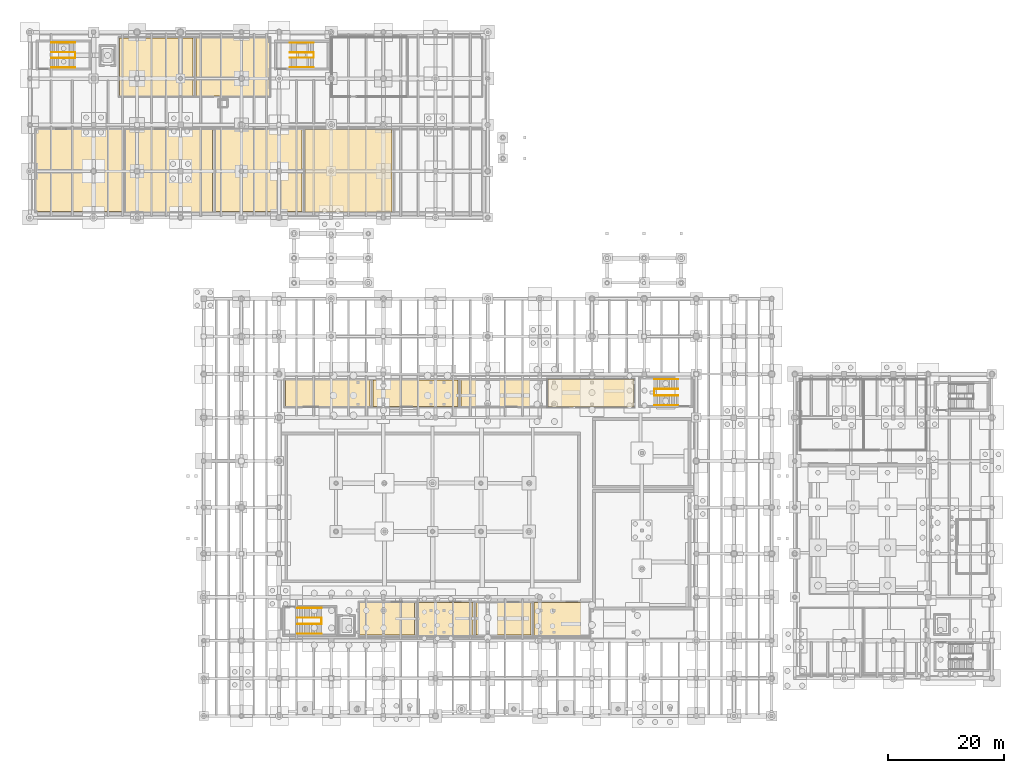
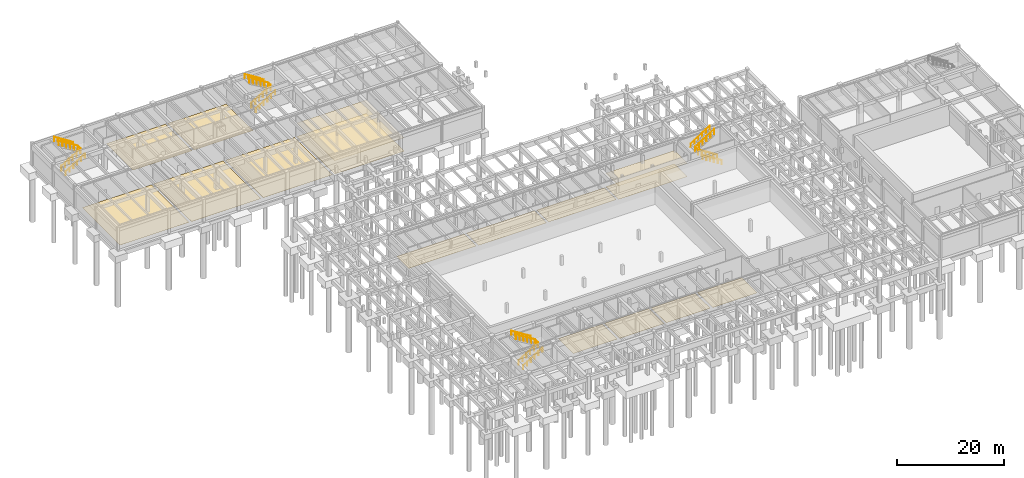
# One storey, part 34 of 36: 16 coverings, 12 railings.
"""IFC4 building model written with IfcOpenShell, lengths in metres."""

from ifc_helpers import new_model, si_unit, direction, frame, origin, origin_2d, place, context, subcontext, project, spatial, polyline, circle, outline, extrude, material, layer, layer_set, type_object, element, save


model = new_model("IFC4")

# Units and contexts
model_context = context("Model", 3, precision=1e-05, world=origin(), true_north=direction((0.0, 1.0)))
body_context = subcontext(model_context, "Body", "Model", "MODEL_VIEW")
ifc_project = project(units=[si_unit("LENGTHUNIT", "METRE"), si_unit("AREAUNIT", "SQUARE_METRE"), si_unit("VOLUMEUNIT", "CUBIC_METRE"), si_unit("PLANEANGLEUNIT", "RADIAN"), si_unit("MASSUNIT", "GRAM", prefix="KILO"), si_unit("THERMODYNAMICTEMPERATUREUNIT", "KELVIN"), si_unit("POWERUNIT", "WATT")], contexts=[model_context])

# Site, building, storey
site_placement = place(None, origin())
site = spatial("IfcSite", under=ifc_project, at=site_placement, CompositionType="ELEMENT")
building_placement = place(site_placement, origin())
building = spatial("IfcBuilding", under=site, at=building_placement, Name="Tepalcoro Natatorium and Aquatics Centre", CompositionType="ELEMENT")
storey_placement = place(building_placement, frame((0.0, 0.0, -5.199951171875)))
storey = spatial("IfcBuildingStorey", under=building, at=storey_placement, Name="B1", CompositionType="ELEMENT", Elevation=-5.199951171875)

# Coverings
ifc_material_1 = material(Name="Moisture-Resistant Acoustic Gypsum Drywall on Cold-Formed Metal Studs")
ifc_layer_1 = layer(ifc_material_1, 0.030029296875)
ifc_layer_set_1 = layer_set([ifc_layer_1], Name="Moisture-Resistant Acoustic Gypsum Drywall on Cold-Formed Metal Studs")
covering_type_1 = type_object("IfcCoveringType", Name="CL_GYPSUM_30", PredefinedType="CEILING", material=ifc_layer_set_1)
covering_1_placement = place(storey_placement, frame((0.0, 0.0, 3.050048828125)))
element("IfcCovering", 1, at=covering_1_placement, inside=storey, type_object=covering_type_1, Name="Building Management Control & Workshop Suite Suspended Ceiling", PredefinedType="CEILING", context=body_context, shape_type="SweptSolid", body=[
    extrude(outline(polyline([(99.3798828125, 53.2900390625), (99.3798828125, 58.110107421875), (114.27001953125, 58.110107421875), (114.27001953125, 53.2900390625), (99.3798828125, 53.2900390625)])), origin(), (0.0, 0.0, 1.0), 0.02978515625),
])
ifc_material_2 = material(Name="Perforated Corrosion-Resistant Acoustic Aluminium Baffle Ceiling", Category="aluminium")
ifc_layer_2 = layer(ifc_material_2, 0.0400390625)
ifc_layer_set_2 = layer_set([ifc_layer_2], Name="Perforated Corrosion-Resistant Acoustic Aluminium Baffle Ceiling")
covering_type_2 = type_object("IfcCoveringType", Name="CL_PERF_AL_40", PredefinedType="CEILING", material=ifc_layer_set_2)
covering_2_placement = place(storey_placement, frame((0.0, 0.0, 3.050048828125)))
element("IfcCovering", 2, at=covering_2_placement, inside=storey, type_object=covering_type_2, Name="Maintenance Engineering Stores & Linen Handling Suspended Ceiling", PredefinedType="CEILING", context=body_context, shape_type="SweptSolid", body=[
    extrude(outline(polyline([(57.47509765625, 86.9951171875), (57.47509765625, 101.205078125), (72.485107421875, 101.205078125), (72.485107421875, 86.9951171875), (57.47509765625, 86.9951171875)])), origin(), (0.0, 0.0, 1.0), 0.039794921875),
])
ifc_material_3 = material(Name="Shock-Absorbing Vulcanised Athletic Rubber Flooring")
ifc_layer_3 = layer(ifc_material_3, 0.010009765625)
ifc_layer_set_3 = layer_set([ifc_layer_3], Name="Shock-Absorbing Vulcanised Athletic Rubber Flooring")
covering_type_3 = type_object("IfcCoveringType", Name="FL_CARPET_10", PredefinedType="FLOORING", material=ifc_layer_set_3)
covering_3_placement = place(storey_placement, origin())
element("IfcCovering", 3, at=covering_3_placement, inside=storey, type_object=covering_type_3, Name="Natatorium Dehumidification AHU Plant Hall Floor Finish", PredefinedType="FLOORING", context=body_context, shape_type="SweptSolid", body=[
    extrude(outline(polyline([(84.375, 53.43505859375), (84.375, 57.965087890625), (98.97509765625, 57.965087890625), (98.97509765625, 53.43505859375), (84.375, 53.43505859375)])), origin(), (0.0, 0.0, 1.0), 0.010009765625),
])
covering_4_placement = place(storey_placement, origin())
element("IfcCovering", 4, at=covering_4_placement, inside=storey, type_object=covering_type_3, Name="B1 Staff Accessible WC Floor Finish", PredefinedType="FLOORING", context=body_context, shape_type="SweptSolid", body=[
    extrude(outline(polyline([(38.64990234375, 107.010009765625), (38.64990234375, 116.989990234375), (51.35009765625, 116.989990234375), (51.35009765625, 107.010009765625), (38.64990234375, 107.010009765625)])), origin(), (0.0, 0.0, 1.0), 0.010009765625),
])
ifc_material_4 = material(Name="Slip-Resistant Porcelain Aquatic Deck Tile")
ifc_layer_4 = layer(ifc_material_4, 0.02197265625)
ifc_layer_set_4 = layer_set([ifc_layer_4], Name="Slip-Resistant Porcelain Aquatic Deck Tile")
covering_type_4 = type_object("IfcCoveringType", Name="FL_DECK_TILE_22", PredefinedType="FLOORING", material=ifc_layer_set_4)
covering_5_placement = place(storey_placement, origin())
element("IfcCovering", 5, at=covering_5_placement, inside=storey, type_object=covering_type_4, Name="Competition Pool Surge & Balance Tank Chamber Floor Finish", PredefinedType="FLOORING", context=body_context, shape_type="SweptSolid", body=[
    extrude(outline(polyline([(86.97509765625, 13.93505859375), (86.97509765625, 19.56494140625), (96.47509765625, 19.56494140625), (96.47509765625, 13.93505859375), (86.97509765625, 13.93505859375)])), origin(), (0.0, 0.0, 1.0), 0.02197265625),
])
covering_6_placement = place(storey_placement, origin())
element("IfcCovering", 6, at=covering_6_placement, inside=storey, type_object=covering_type_4, Name="Domestic Hot Water Calorifier & Greywater Recovery Plant Floor Finish", PredefinedType="FLOORING", context=body_context, shape_type="SweptSolid", body=[
    extrude(outline(polyline([(42.034912109375, 87.034912109375), (42.034912109375, 101.1650390625), (56.965087890625, 101.1650390625), (56.965087890625, 87.034912109375), (42.034912109375, 87.034912109375)])), origin(), (0.0, 0.0, 1.0), 0.02197265625),
])
ifc_material_5 = material(Name="Chemical-Resistant Quartz-Broadcast Epoxy Flooring")
ifc_layer_5 = layer(ifc_material_5, 0.008056640625)
ifc_layer_set_5 = layer_set([ifc_layer_5], Name="Chemical-Resistant Quartz-Broadcast Epoxy Flooring")
covering_type_5 = type_object("IfcCoveringType", Name="FL_EPOXY_8", PredefinedType="FLOORING", material=ifc_layer_set_5)
covering_7_placement = place(storey_placement, origin())
element("IfcCovering", 7, at=covering_7_placement, inside=storey, type_object=covering_type_5, Name="Standby Emergency Generator Hall Floor Finish", PredefinedType="FLOORING", context=body_context, shape_type="SweptSolid", body=[
    extrude(outline(polyline([(69.18505859375, 53.39501953125), (69.18505859375, 58.0048828125), (83.864990234375, 58.0048828125), (83.864990234375, 53.39501953125), (69.18505859375, 53.39501953125)])), origin(), (0.0, 0.0, 1.0), 0.008056640625),
])
covering_8_placement = place(storey_placement, origin())
element("IfcCovering", 8, at=covering_8_placement, inside=storey, type_object=covering_type_5, Name="Pool Chemical Bulk Storage & Neutralisation Tank Room Floor Finish", PredefinedType="FLOORING", context=body_context, shape_type="SweptSolid", body=[
    extrude(outline(polyline([(25.43505859375, 106.9951171875), (25.43505859375, 117.0048828125), (38.1650390625, 117.0048828125), (38.1650390625, 106.9951171875), (25.43505859375, 106.9951171875)])), origin(), (0.0, 0.0, 1.0), 0.008056640625),
])
ifc_layer_6 = layer(ifc_material_3, 0.011962890625)
ifc_layer_set_6 = layer_set([ifc_layer_6], Name="Shock-Absorbing Vulcanised Athletic Rubber Flooring")
covering_type_6 = type_object("IfcCoveringType", Name="FL_RUBBER_12", PredefinedType="FLOORING", material=ifc_layer_set_6)
covering_9_placement = place(storey_placement, origin())
element("IfcCovering", 9, at=covering_9_placement, inside=storey, type_object=covering_type_6, Name="Pool Plant Competition Ozone & UV Disinfection Hall Floor Finish", PredefinedType="FLOORING", context=body_context, shape_type="SweptSolid", body=[
    extrude(outline(polyline([(66.875, 13.93505859375), (66.875, 19.56494140625), (76.375, 19.56494140625), (76.375, 13.93505859375), (66.875, 13.93505859375)])), origin(), (0.0, 0.0, 1.0), 0.011962890625),
])
covering_10_placement = place(storey_placement, origin())
element("IfcCovering", 10, at=covering_10_placement, inside=storey, type_object=covering_type_6, Name="Building Management Control & Workshop Suite Floor Finish", PredefinedType="FLOORING", context=body_context, shape_type="SweptSolid", body=[
    extrude(outline(polyline([(99.3798828125, 53.2900390625), (99.3798828125, 58.110107421875), (114.27001953125, 58.110107421875), (114.27001953125, 53.2900390625), (99.3798828125, 53.2900390625)])), origin(), (0.0, 0.0, 1.0), 0.011962890625),
])
covering_11_placement = place(storey_placement, origin())
element("IfcCovering", 11, at=covering_11_placement, inside=storey, type_object=covering_type_6, Name="Chiller Hall & Thermal Ice-Storage Plant Floor Finish", PredefinedType="FLOORING", context=body_context, shape_type="SweptSolid", body=[
    extrude(outline(polyline([(11.074951171875, 87.034912109375), (11.074951171875, 101.1650390625), (26.0048828125, 101.1650390625), (26.0048828125, 87.034912109375), (11.074951171875, 87.034912109375)])), origin(), (0.0, 0.0, 1.0), 0.011962890625),
])
ifc_material_6 = material(Name="Polished Jalisco Basalt Aggregate Terrazzo Flooring", Category="masonry")
ifc_layer_7 = layer(ifc_material_6, 0.028076171875)
ifc_layer_set_7 = layer_set([ifc_layer_7], Name="Polished Jalisco Basalt Aggregate Terrazzo Flooring")
covering_type_7 = type_object("IfcCoveringType", Name="FL_TERRAZZO_25", PredefinedType="FLOORING", material=ifc_layer_set_7)
covering_12_placement = place(storey_placement, origin())
element("IfcCovering", 12, at=covering_12_placement, inside=storey, type_object=covering_type_7, Name="Medium-Voltage Electrical Substation Hall Floor Finish", PredefinedType="FLOORING", context=body_context, shape_type="SweptSolid", body=[
    extrude(outline(polyline([(54.074951171875, 53.43505859375), (54.074951171875, 57.965087890625), (68.675048828125, 57.965087890625), (68.675048828125, 53.43505859375), (54.074951171875, 53.43505859375)])), origin(), (0.0, 0.0, 1.0), 0.02783203125),
])
ifc_layer_8 = layer(ifc_material_4, 0.01806640625)
ifc_layer_set_8 = layer_set([ifc_layer_8], Name="Slip-Resistant Porcelain Aquatic Deck Tile")
covering_type_8 = type_object("IfcCoveringType", Name="FL_TILE_18", PredefinedType="FLOORING", material=ifc_layer_set_8)
covering_13_placement = place(storey_placement, origin())
element("IfcCovering", 13, at=covering_13_placement, inside=storey, type_object=covering_type_8, Name="Pool Plant Competition Sand Filtration Battery Room Floor Finish", PredefinedType="FLOORING", context=body_context, shape_type="SweptSolid", body=[
    extrude(outline(polyline([(76.885009765625, 13.89501953125), (76.885009765625, 19.60498046875), (86.465087890625, 19.60498046875), (86.465087890625, 13.89501953125), (76.885009765625, 13.89501953125)])), origin(), (0.0, 0.0, 1.0), 0.01806640625),
])
covering_14_placement = place(storey_placement, origin())
element("IfcCovering", 14, at=covering_14_placement, inside=storey, type_object=covering_type_8, Name="Training & Hydrotherapy Filtration Plant Hall Floor Finish", PredefinedType="FLOORING", context=body_context, shape_type="SweptSolid", body=[
    extrude(outline(polyline([(26.514892578125, 86.9951171875), (26.514892578125, 101.205078125), (41.52490234375, 101.205078125), (41.52490234375, 86.9951171875), (26.514892578125, 86.9951171875)])), origin(), (0.0, 0.0, 1.0), 0.01806640625),
])
ifc_material_7 = material(Name="Sprung Maple Sports Floor Assembly")
ifc_layer_9 = layer(ifc_material_7, 0.02392578125)
ifc_layer_set_9 = layer_set([ifc_layer_9], Name="Sprung Maple Sports Floor Assembly")
covering_type_9 = type_object("IfcCoveringType", Name="FL_WOOD_22", PredefinedType="FLOORING", material=ifc_layer_set_9)
covering_15_placement = place(storey_placement, origin())
element("IfcCovering", 15, at=covering_15_placement, inside=storey, type_object=covering_type_9, Name="Geothermal Heat-Pump & Plate Exchanger Plant Floor Finish", PredefinedType="FLOORING", context=body_context, shape_type="SweptSolid", body=[
    extrude(outline(polyline([(96.985107421875, 13.89501953125), (96.985107421875, 19.60498046875), (106.56494140625, 19.60498046875), (106.56494140625, 13.89501953125), (96.985107421875, 13.89501953125)])), origin(), (0.0, 0.0, 1.0), 0.02392578125),
])
covering_16_placement = place(storey_placement, origin())
element("IfcCovering", 16, at=covering_16_placement, inside=storey, type_object=covering_type_9, Name="Maintenance Engineering Stores & Linen Handling Floor Finish", PredefinedType="FLOORING", context=body_context, shape_type="SweptSolid", body=[
    extrude(outline(polyline([(57.47509765625, 86.9951171875), (57.47509765625, 101.205078125), (72.485107421875, 101.205078125), (72.485107421875, 86.9951171875), (57.47509765625, 86.9951171875)])), origin(), (0.0, 0.0, 1.0), 0.02392578125),
])

# Railings
ifc_material_8 = material(Name="Marine-Grade Brushed Stainless Steel AISI 316L", Category="steel")
railing_type_1 = type_object("IfcRailingType", Name="RL_GLASS_1100", PredefinedType="GUARDRAIL", material=ifc_material_8)
railing_1_placement = place(storey_placement, frame((56.199951171875, 15.85009765625, 0.0)))
element("IfcRailing", 17, at=railing_1_placement, inside=storey, type_object=railing_type_1, Name="ST01-B1 Inner Stairwell Guardrail", PredefinedType="GUARDRAIL", context=body_context, shape_type="SweptSolid", body=[
    extrude(circle(Radius=0.02392578125, at=origin_2d()), frame((0.0, 0.0, 1.09619140625), z_axis=(0.846287972148, 0.0, 0.532725696956), x_axis=(0.0, 1.0, 0.0)), (0.0, 0.0, 1.0), 4.88037109375),
    extrude(circle(Radius=0.02392578125, at=origin_2d()), frame((4.130126953125, 0.0, 3.69580078125), z_axis=(0.0, 1.0, 0.0), x_axis=(-1.0, 0.0, 0.0)), (0.0, 0.0, 1.0), 1.099853515625),
    extrude(circle(Radius=0.02392578125, at=origin_2d()), frame((4.130126953125, 1.099853515625, 3.69580078125), z_axis=(-0.846265418351, 0.0, 0.532761524233), x_axis=(0.0, -1.0, 0.0)), (0.0, 0.0, 1.0), 4.88037109375),
    extrude(circle(Radius=0.02099609375, at=origin_2d()), origin(), (0.0, 0.0, 1.0), 1.072021484375),
    extrude(circle(Radius=0.02099609375, at=origin_2d()), frame((0.825927734375, 0.0, 0.52001953125)), (0.0, 0.0, 1.0), 1.072021484375),
    extrude(circle(Radius=0.02099609375, at=origin_2d()), frame((1.652099609375, 0.0, 1.0400390625)), (0.0, 0.0, 1.0), 1.072021484375),
    extrude(circle(Radius=0.02099609375, at=origin_2d()), frame((2.47802734375, 0.0, 1.559814453125)), (0.0, 0.0, 1.0), 1.072021484375),
    extrude(circle(Radius=0.02099609375, at=origin_2d()), frame((3.30419921875, 0.0, 2.079833984375)), (0.0, 0.0, 1.0), 1.072021484375),
    extrude(circle(Radius=0.02099609375, at=origin_2d()), frame((4.130126953125, 0.0, 2.599853515625)), (0.0, 0.0, 1.0), 1.072021484375),
    extrude(circle(Radius=0.02099609375, at=origin_2d()), frame((4.130126953125, 1.099853515625, 2.599853515625)), (0.0, 0.0, 1.0), 1.072021484375),
    extrude(circle(Radius=0.02099609375, at=origin_2d()), frame((3.30419921875, 1.099853515625, 3.119873046875)), (0.0, 0.0, 1.0), 1.072021484375),
    extrude(circle(Radius=0.02099609375, at=origin_2d()), frame((2.47802734375, 1.099853515625, 3.639892578125)), (0.0, 0.0, 1.0), 1.072021484375),
    extrude(circle(Radius=0.02099609375, at=origin_2d()), frame((1.652099609375, 1.099853515625, 4.159912109375)), (0.0, 0.0, 1.0), 1.072021484375),
    extrude(circle(Radius=0.02099609375, at=origin_2d()), frame((0.825927734375, 1.099853515625, 4.679931640625)), (0.0, 0.0, 1.0), 1.072021484375),
    extrude(circle(Radius=0.02099609375, at=origin_2d()), frame((0.0, 1.099853515625, 5.199951171875)), (0.0, 0.0, 1.0), 1.072021484375),
])
railing_2_placement = place(storey_placement, frame((13.699951171875, 113.550048828125, 0.0)))
element("IfcRailing", 18, at=railing_2_placement, inside=storey, type_object=railing_type_1, Name="ST07-B1 Inner Stairwell Guardrail", PredefinedType="GUARDRAIL", context=body_context, shape_type="SweptSolid", body=[
    extrude(circle(Radius=0.02392578125, at=origin_2d()), frame((0.0, 0.0, 1.09619140625), z_axis=(0.846287972148, 0.0, 0.532725696956), x_axis=(0.0, 1.0, 0.0)), (0.0, 0.0, 1.0), 4.88037109375),
    extrude(circle(Radius=0.02392578125, at=origin_2d()), frame((4.130126953125, 0.0, 3.69580078125), z_axis=(0.0, 1.0, 0.0), x_axis=(-1.0, 0.0, 0.0)), (0.0, 0.0, 1.0), 1.0),
    extrude(circle(Radius=0.02392578125, at=origin_2d()), frame((4.130126953125, 1.0, 3.69580078125), z_axis=(-0.846265418351, 0.0, 0.532761524233), x_axis=(0.0, -1.0, 0.0)), (0.0, 0.0, 1.0), 4.88037109375),
    extrude(circle(Radius=0.02099609375, at=origin_2d()), origin(), (0.0, 0.0, 1.0), 1.072021484375),
    extrude(circle(Radius=0.02099609375, at=origin_2d()), frame((0.825927734375, 0.0, 0.52001953125)), (0.0, 0.0, 1.0), 1.072021484375),
    extrude(circle(Radius=0.02099609375, at=origin_2d()), frame((1.652099609375, 0.0, 1.0400390625)), (0.0, 0.0, 1.0), 1.072021484375),
    extrude(circle(Radius=0.02099609375, at=origin_2d()), frame((2.47802734375, 0.0, 1.559814453125)), (0.0, 0.0, 1.0), 1.072021484375),
    extrude(circle(Radius=0.02099609375, at=origin_2d()), frame((3.30419921875, 0.0, 2.079833984375)), (0.0, 0.0, 1.0), 1.072021484375),
    extrude(circle(Radius=0.02099609375, at=origin_2d()), frame((4.130126953125, 0.0, 2.599853515625)), (0.0, 0.0, 1.0), 1.072021484375),
    extrude(circle(Radius=0.02099609375, at=origin_2d()), frame((4.130126953125, 1.0, 2.599853515625)), (0.0, 0.0, 1.0), 1.072021484375),
    extrude(circle(Radius=0.02099609375, at=origin_2d()), frame((3.30419921875, 1.0, 3.119873046875)), (0.0, 0.0, 1.0), 1.072021484375),
    extrude(circle(Radius=0.02099609375, at=origin_2d()), frame((2.47802734375, 1.0, 3.639892578125)), (0.0, 0.0, 1.0), 1.072021484375),
    extrude(circle(Radius=0.02099609375, at=origin_2d()), frame((1.652099609375, 1.0, 4.159912109375)), (0.0, 0.0, 1.0), 1.072021484375),
    extrude(circle(Radius=0.02099609375, at=origin_2d()), frame((0.825927734375, 1.0, 4.679931640625)), (0.0, 0.0, 1.0), 1.072021484375),
    extrude(circle(Radius=0.02099609375, at=origin_2d()), frame((0.0, 1.0, 5.199951171875)), (0.0, 0.0, 1.0), 1.072021484375),
])
ifc_material_9 = material(Name="Bronze-Anodised Extruded Aluminium Alloy EN AW-6063 T6", Category="aluminium")
railing_type_2 = type_object("IfcRailingType", Name="RL_HAND_900_BRZ", PredefinedType="HANDRAIL", material=ifc_material_9)
railing_3_placement = place(storey_placement, frame((121.8701171875, 53.610107421875, 0.0)))
element("IfcRailing", 19, at=railing_3_placement, inside=storey, type_object=railing_type_2, Name="ST02-B1 Wall Handrail F1", PredefinedType="HANDRAIL", context=body_context, shape_type="SweptSolid", body=[
    extrude(circle(Radius=0.02392578125, at=origin_2d()), frame((0.0, 0.0, 0.8759765625), z_axis=(-0.846287972148, 0.0, 0.532725696956), x_axis=(0.0, -1.0, 0.0)), (0.0, 0.0, 1.0), 4.88037109375),
    extrude(circle(Radius=0.02099609375, at=origin_2d()), origin(), (0.0, 0.0, 1.0), 0.851806640625),
    extrude(circle(Radius=0.02099609375, at=origin_2d()), frame((-0.825927734375, 0.0, 0.52001953125)), (0.0, 0.0, 1.0), 0.851806640625),
    extrude(circle(Radius=0.02099609375, at=origin_2d()), frame((-1.652099609375, 0.0, 1.0400390625)), (0.0, 0.0, 1.0), 0.851806640625),
    extrude(circle(Radius=0.02099609375, at=origin_2d()), frame((-2.47802734375, 0.0, 1.559814453125)), (0.0, 0.0, 1.0), 0.851806640625),
    extrude(circle(Radius=0.02099609375, at=origin_2d()), frame((-3.30419921875, 0.0, 2.079833984375)), (0.0, 0.0, 1.0), 0.851806640625),
    extrude(circle(Radius=0.02099609375, at=origin_2d()), frame((-4.130126953125, 0.0, 2.599853515625)), (0.0, 0.0, 1.0), 0.851806640625),
])
railing_4_placement = place(storey_placement, frame((117.739990234375, 58.090087890625, 2.599853515625)))
element("IfcRailing", 20, at=railing_4_placement, inside=storey, type_object=railing_type_2, Name="ST02-B1 Wall Handrail F2", PredefinedType="HANDRAIL", context=body_context, shape_type="SweptSolid", body=[
    extrude(circle(Radius=0.02392578125, at=origin_2d()), frame((0.0, 0.0, 0.8759765625), z_axis=(0.846265418351, 0.0, 0.532761524233), x_axis=(0.0, 1.0, 0.0)), (0.0, 0.0, 1.0), 4.88037109375),
    extrude(circle(Radius=0.02099609375, at=origin_2d()), origin(), (0.0, 0.0, 1.0), 0.851806640625),
    extrude(circle(Radius=0.02099609375, at=origin_2d()), frame((0.825927734375, 0.0, 0.52001953125)), (0.0, 0.0, 1.0), 0.851806640625),
    extrude(circle(Radius=0.02099609375, at=origin_2d()), frame((1.652099609375, 0.0, 1.0400390625)), (0.0, 0.0, 1.0), 0.851806640625),
    extrude(circle(Radius=0.02099609375, at=origin_2d()), frame((2.47802734375, 0.0, 1.56005859375)), (0.0, 0.0, 1.0), 0.851806640625),
    extrude(circle(Radius=0.02099609375, at=origin_2d()), frame((3.30419921875, 0.0, 2.080078125)), (0.0, 0.0, 1.0), 0.851806640625),
    extrude(circle(Radius=0.02099609375, at=origin_2d()), frame((4.130126953125, 0.0, 2.60009765625)), (0.0, 0.0, 1.0), 0.851806640625),
])
railing_5_placement = place(storey_placement, frame((54.85009765625, 111.929931640625, 0.0)))
element("IfcRailing", 21, at=railing_5_placement, inside=storey, type_object=railing_type_2, Name="ST08-B1 Wall Handrail F1", PredefinedType="HANDRAIL", context=body_context, shape_type="SweptSolid", body=[
    extrude(circle(Radius=0.02392578125, at=origin_2d()), frame((0.0, 0.0, 0.8759765625), z_axis=(0.846273774066, 0.0, 0.532748251361), x_axis=(0.0, 1.0, 0.0)), (0.0, 0.0, 1.0), 4.880126953125),
    extrude(circle(Radius=0.02099609375, at=origin_2d()), origin(), (0.0, 0.0, 1.0), 0.851806640625),
    extrude(circle(Radius=0.02099609375, at=origin_2d()), frame((0.825927734375, 0.0, 0.52001953125)), (0.0, 0.0, 1.0), 0.851806640625),
    extrude(circle(Radius=0.02099609375, at=origin_2d()), frame((1.65185546875, 0.0, 1.0400390625)), (0.0, 0.0, 1.0), 0.851806640625),
    extrude(circle(Radius=0.02099609375, at=origin_2d()), frame((2.47802734375, 0.0, 1.559814453125)), (0.0, 0.0, 1.0), 0.851806640625),
    extrude(circle(Radius=0.02099609375, at=origin_2d()), frame((3.303955078125, 0.0, 2.079833984375)), (0.0, 0.0, 1.0), 0.851806640625),
    extrude(circle(Radius=0.02099609375, at=origin_2d()), frame((4.1298828125, 0.0, 2.599853515625)), (0.0, 0.0, 1.0), 0.851806640625),
])
railing_6_placement = place(storey_placement, frame((58.97998046875, 116.169921875, 2.599853515625)))
element("IfcRailing", 22, at=railing_6_placement, inside=storey, type_object=railing_type_2, Name="ST08-B1 Wall Handrail F2", PredefinedType="HANDRAIL", context=body_context, shape_type="SweptSolid", body=[
    extrude(circle(Radius=0.02392578125, at=origin_2d()), frame((0.0, 0.0, 0.8759765625), z_axis=(-0.846251218738, 0.0, 0.532784078952), x_axis=(0.0, -1.0, 0.0)), (0.0, 0.0, 1.0), 4.880126953125),
    extrude(circle(Radius=0.02099609375, at=origin_2d()), origin(), (0.0, 0.0, 1.0), 0.851806640625),
    extrude(circle(Radius=0.02099609375, at=origin_2d()), frame((-0.825927734375, 0.0, 0.52001953125)), (0.0, 0.0, 1.0), 0.851806640625),
    extrude(circle(Radius=0.02099609375, at=origin_2d()), frame((-1.65185546875, 0.0, 1.0400390625)), (0.0, 0.0, 1.0), 0.851806640625),
    extrude(circle(Radius=0.02099609375, at=origin_2d()), frame((-2.47802734375, 0.0, 1.56005859375)), (0.0, 0.0, 1.0), 0.851806640625),
    extrude(circle(Radius=0.02099609375, at=origin_2d()), frame((-3.303955078125, 0.0, 2.080078125)), (0.0, 0.0, 1.0), 0.851806640625),
    extrude(circle(Radius=0.02099609375, at=origin_2d()), frame((-4.1298828125, 0.0, 2.60009765625)), (0.0, 0.0, 1.0), 0.851806640625),
])
railing_type_3 = type_object("IfcRailingType", Name="RL_HAND_920_SS", PredefinedType="HANDRAIL", material=ifc_material_8)
railing_7_placement = place(storey_placement, frame((56.199951171875, 14.179931640625, 0.0)))
element("IfcRailing", 23, at=railing_7_placement, inside=storey, type_object=railing_type_3, Name="ST01-B1 Wall Handrail F1", PredefinedType="HANDRAIL", context=body_context, shape_type="SweptSolid", body=[
    extrude(circle(Radius=0.02392578125, at=origin_2d()), frame((0.0, 0.0, 0.89599609375), z_axis=(0.846287972148, 0.0, 0.532725696956), x_axis=(0.0, 1.0, 0.0)), (0.0, 0.0, 1.0), 4.88037109375),
    extrude(circle(Radius=0.02099609375, at=origin_2d()), origin(), (0.0, 0.0, 1.0), 0.871826171875),
    extrude(circle(Radius=0.02099609375, at=origin_2d()), frame((0.825927734375, 0.0, 0.52001953125)), (0.0, 0.0, 1.0), 0.871826171875),
    extrude(circle(Radius=0.02099609375, at=origin_2d()), frame((1.652099609375, 0.0, 1.0400390625)), (0.0, 0.0, 1.0), 0.871826171875),
    extrude(circle(Radius=0.02099609375, at=origin_2d()), frame((2.47802734375, 0.0, 1.559814453125)), (0.0, 0.0, 1.0), 0.871826171875),
    extrude(circle(Radius=0.02099609375, at=origin_2d()), frame((3.30419921875, 0.0, 2.079833984375)), (0.0, 0.0, 1.0), 0.871826171875),
    extrude(circle(Radius=0.02099609375, at=origin_2d()), frame((4.130126953125, 0.0, 2.599853515625)), (0.0, 0.0, 1.0), 0.871826171875),
])
railing_8_placement = place(storey_placement, frame((60.330078125, 18.6201171875, 2.599853515625)))
element("IfcRailing", 24, at=railing_8_placement, inside=storey, type_object=railing_type_3, Name="ST01-B1 Wall Handrail F2", PredefinedType="HANDRAIL", context=body_context, shape_type="SweptSolid", body=[
    extrude(circle(Radius=0.02392578125, at=origin_2d()), frame((0.0, 0.0, 0.89599609375), z_axis=(-0.846265418351, 0.0, 0.532761524233), x_axis=(0.0, -1.0, 0.0)), (0.0, 0.0, 1.0), 4.88037109375),
    extrude(circle(Radius=0.02099609375, at=origin_2d()), origin(), (0.0, 0.0, 1.0), 0.871826171875),
    extrude(circle(Radius=0.02099609375, at=origin_2d()), frame((-0.825927734375, 0.0, 0.52001953125)), (0.0, 0.0, 1.0), 0.871826171875),
    extrude(circle(Radius=0.02099609375, at=origin_2d()), frame((-1.652099609375, 0.0, 1.0400390625)), (0.0, 0.0, 1.0), 0.871826171875),
    extrude(circle(Radius=0.02099609375, at=origin_2d()), frame((-2.47802734375, 0.0, 1.56005859375)), (0.0, 0.0, 1.0), 0.871826171875),
    extrude(circle(Radius=0.02099609375, at=origin_2d()), frame((-3.30419921875, 0.0, 2.080078125)), (0.0, 0.0, 1.0), 0.871826171875),
    extrude(circle(Radius=0.02099609375, at=origin_2d()), frame((-4.130126953125, 0.0, 2.60009765625)), (0.0, 0.0, 1.0), 0.871826171875),
])
railing_9_placement = place(storey_placement, frame((13.699951171875, 111.8798828125, 0.0)))
element("IfcRailing", 25, at=railing_9_placement, inside=storey, type_object=railing_type_3, Name="ST07-B1 Wall Handrail F1", PredefinedType="HANDRAIL", context=body_context, shape_type="SweptSolid", body=[
    extrude(circle(Radius=0.02392578125, at=origin_2d()), frame((0.0, 0.0, 0.89599609375), z_axis=(0.846287972148, 0.0, 0.532725696956), x_axis=(0.0, 1.0, 0.0)), (0.0, 0.0, 1.0), 4.88037109375),
    extrude(circle(Radius=0.02099609375, at=origin_2d()), origin(), (0.0, 0.0, 1.0), 0.871826171875),
    extrude(circle(Radius=0.02099609375, at=origin_2d()), frame((0.825927734375, 0.0, 0.52001953125)), (0.0, 0.0, 1.0), 0.871826171875),
    extrude(circle(Radius=0.02099609375, at=origin_2d()), frame((1.652099609375, 0.0, 1.0400390625)), (0.0, 0.0, 1.0), 0.871826171875),
    extrude(circle(Radius=0.02099609375, at=origin_2d()), frame((2.47802734375, 0.0, 1.559814453125)), (0.0, 0.0, 1.0), 0.871826171875),
    extrude(circle(Radius=0.02099609375, at=origin_2d()), frame((3.30419921875, 0.0, 2.079833984375)), (0.0, 0.0, 1.0), 0.871826171875),
    extrude(circle(Radius=0.02099609375, at=origin_2d()), frame((4.130126953125, 0.0, 2.599853515625)), (0.0, 0.0, 1.0), 0.871826171875),
])
railing_10_placement = place(storey_placement, frame((17.830078125, 116.219970703125, 2.599853515625)))
element("IfcRailing", 26, at=railing_10_placement, inside=storey, type_object=railing_type_3, Name="ST07-B1 Wall Handrail F2", PredefinedType="HANDRAIL", context=body_context, shape_type="SweptSolid", body=[
    extrude(circle(Radius=0.02392578125, at=origin_2d()), frame((0.0, 0.0, 0.89599609375), z_axis=(-0.846265418351, 0.0, 0.532761524233), x_axis=(0.0, -1.0, 0.0)), (0.0, 0.0, 1.0), 4.88037109375),
    extrude(circle(Radius=0.02099609375, at=origin_2d()), origin(), (0.0, 0.0, 1.0), 0.871826171875),
    extrude(circle(Radius=0.02099609375, at=origin_2d()), frame((-0.825927734375, 0.0, 0.52001953125)), (0.0, 0.0, 1.0), 0.871826171875),
    extrude(circle(Radius=0.02099609375, at=origin_2d()), frame((-1.652099609375, 0.0, 1.0400390625)), (0.0, 0.0, 1.0), 0.871826171875),
    extrude(circle(Radius=0.02099609375, at=origin_2d()), frame((-2.47802734375, 0.0, 1.56005859375)), (0.0, 0.0, 1.0), 0.871826171875),
    extrude(circle(Radius=0.02099609375, at=origin_2d()), frame((-3.30419921875, 0.0, 2.080078125)), (0.0, 0.0, 1.0), 0.871826171875),
    extrude(circle(Radius=0.02099609375, at=origin_2d()), frame((-4.130126953125, 0.0, 2.60009765625)), (0.0, 0.0, 1.0), 0.871826171875),
])
ifc_material_10 = material(Name="Hollow Steel ASTM A500 Grade C (Fy 345 MPa)", Category="steel")
railing_type_4 = type_object("IfcRailingType", Name="RL_STEEL_1100", PredefinedType="GUARDRAIL", material=ifc_material_10)
railing_11_placement = place(storey_placement, frame((121.8701171875, 55.280029296875, 0.0)))
element("IfcRailing", 27, at=railing_11_placement, inside=storey, type_object=railing_type_4, Name="ST02-B1 Inner Stairwell Guardrail", PredefinedType="GUARDRAIL", context=body_context, shape_type="SweptSolid", body=[
    extrude(circle(Radius=0.02392578125, at=origin_2d()), frame((0.0, 0.0, 1.1259765625), z_axis=(-0.846287972148, 0.0, 0.532725696956), x_axis=(0.0, -1.0, 0.0)), (0.0, 0.0, 1.0), 4.88037109375),
    extrude(circle(Radius=0.02392578125, at=origin_2d()), frame((-4.130126953125, 0.0, 3.7255859375), z_axis=(0.0, 1.0, 0.0), x_axis=(-1.0, 0.0, 0.0)), (0.0, 0.0, 1.0), 1.139892578125),
    extrude(circle(Radius=0.02392578125, at=origin_2d()), frame((-4.130126953125, 1.139892578125, 3.7255859375), z_axis=(0.846265418351, 0.0, 0.532761524233), x_axis=(0.0, 1.0, 0.0)), (0.0, 0.0, 1.0), 4.88037109375),
    extrude(circle(Radius=0.02099609375, at=origin_2d()), origin(), (0.0, 0.0, 1.0), 1.101806640625),
    extrude(circle(Radius=0.02099609375, at=origin_2d()), frame((-0.825927734375, 0.0, 0.52001953125)), (0.0, 0.0, 1.0), 1.101806640625),
    extrude(circle(Radius=0.02099609375, at=origin_2d()), frame((-1.652099609375, 0.0, 1.0400390625)), (0.0, 0.0, 1.0), 1.101806640625),
    extrude(circle(Radius=0.02099609375, at=origin_2d()), frame((-2.47802734375, 0.0, 1.559814453125)), (0.0, 0.0, 1.0), 1.101806640625),
    extrude(circle(Radius=0.02099609375, at=origin_2d()), frame((-3.30419921875, 0.0, 2.079833984375)), (0.0, 0.0, 1.0), 1.101806640625),
    extrude(circle(Radius=0.02099609375, at=origin_2d()), frame((-4.130126953125, 0.0, 2.599853515625)), (0.0, 0.0, 1.0), 1.101806640625),
    extrude(circle(Radius=0.02099609375, at=origin_2d()), frame((-4.130126953125, 1.139892578125, 2.599853515625)), (0.0, 0.0, 1.0), 1.101806640625),
    extrude(circle(Radius=0.02099609375, at=origin_2d()), frame((-3.30419921875, 1.139892578125, 3.119873046875)), (0.0, 0.0, 1.0), 1.101806640625),
    extrude(circle(Radius=0.02099609375, at=origin_2d()), frame((-2.47802734375, 1.139892578125, 3.639892578125)), (0.0, 0.0, 1.0), 1.101806640625),
    extrude(circle(Radius=0.02099609375, at=origin_2d()), frame((-1.652099609375, 1.139892578125, 4.159912109375)), (0.0, 0.0, 1.0), 1.101806640625),
    extrude(circle(Radius=0.02099609375, at=origin_2d()), frame((-0.825927734375, 1.139892578125, 4.679931640625)), (0.0, 0.0, 1.0), 1.101806640625),
    extrude(circle(Radius=0.02099609375, at=origin_2d()), frame((0.0, 1.139892578125, 5.199951171875)), (0.0, 0.0, 1.0), 1.101806640625),
])
railing_12_placement = place(storey_placement, frame((54.85009765625, 113.60009765625, 0.0)))
element("IfcRailing", 28, at=railing_12_placement, inside=storey, type_object=railing_type_4, Name="ST08-B1 Inner Stairwell Guardrail", PredefinedType="GUARDRAIL", context=body_context, shape_type="SweptSolid", body=[
    extrude(circle(Radius=0.02392578125, at=origin_2d()), frame((0.0, 0.0, 1.1259765625), z_axis=(0.846273774066, 0.0, 0.532748251361), x_axis=(0.0, 1.0, 0.0)), (0.0, 0.0, 1.0), 4.880126953125),
    extrude(circle(Radius=0.02392578125, at=origin_2d()), frame((4.1298828125, 0.0, 3.7255859375), z_axis=(0.0, 1.0, 0.0), x_axis=(-1.0, 0.0, 0.0)), (0.0, 0.0, 1.0), 0.89990234375),
    extrude(circle(Radius=0.02392578125, at=origin_2d()), frame((4.1298828125, 0.89990234375, 3.7255859375), z_axis=(-0.846251218738, 0.0, 0.532784078952), x_axis=(0.0, -1.0, 0.0)), (0.0, 0.0, 1.0), 4.880126953125),
    extrude(circle(Radius=0.02099609375, at=origin_2d()), origin(), (0.0, 0.0, 1.0), 1.101806640625),
    extrude(circle(Radius=0.02099609375, at=origin_2d()), frame((0.825927734375, 0.0, 0.52001953125)), (0.0, 0.0, 1.0), 1.101806640625),
    extrude(circle(Radius=0.02099609375, at=origin_2d()), frame((1.65185546875, 0.0, 1.0400390625)), (0.0, 0.0, 1.0), 1.101806640625),
    extrude(circle(Radius=0.02099609375, at=origin_2d()), frame((2.47802734375, 0.0, 1.559814453125)), (0.0, 0.0, 1.0), 1.101806640625),
    extrude(circle(Radius=0.02099609375, at=origin_2d()), frame((3.303955078125, 0.0, 2.079833984375)), (0.0, 0.0, 1.0), 1.101806640625),
    extrude(circle(Radius=0.02099609375, at=origin_2d()), frame((4.1298828125, 0.0, 2.599853515625)), (0.0, 0.0, 1.0), 1.101806640625),
    extrude(circle(Radius=0.02099609375, at=origin_2d()), frame((4.1298828125, 0.89990234375, 2.599853515625)), (0.0, 0.0, 1.0), 1.101806640625),
    extrude(circle(Radius=0.02099609375, at=origin_2d()), frame((3.303955078125, 0.89990234375, 3.119873046875)), (0.0, 0.0, 1.0), 1.101806640625),
    extrude(circle(Radius=0.02099609375, at=origin_2d()), frame((2.47802734375, 0.89990234375, 3.639892578125)), (0.0, 0.0, 1.0), 1.101806640625),
    extrude(circle(Radius=0.02099609375, at=origin_2d()), frame((1.65185546875, 0.89990234375, 4.159912109375)), (0.0, 0.0, 1.0), 1.101806640625),
    extrude(circle(Radius=0.02099609375, at=origin_2d()), frame((0.825927734375, 0.89990234375, 4.679931640625)), (0.0, 0.0, 1.0), 1.101806640625),
    extrude(circle(Radius=0.02099609375, at=origin_2d()), frame((0.0, 0.89990234375, 5.199951171875)), (0.0, 0.0, 1.0), 1.101806640625),
])

save(model, "model.ifc")
